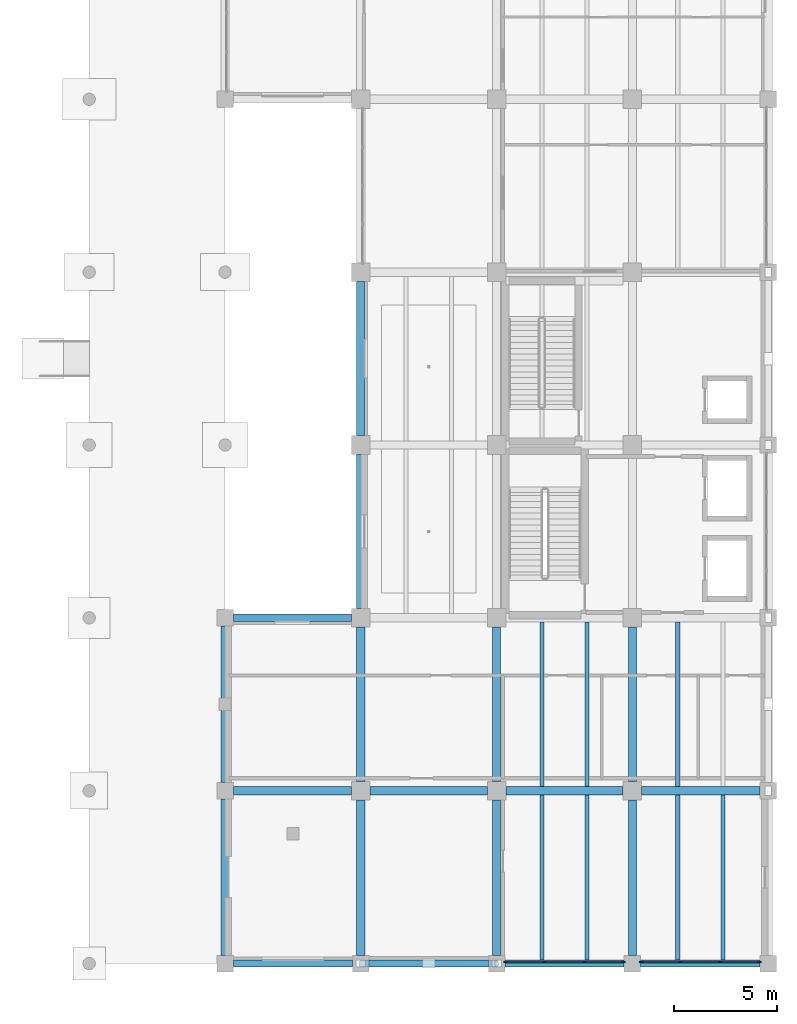
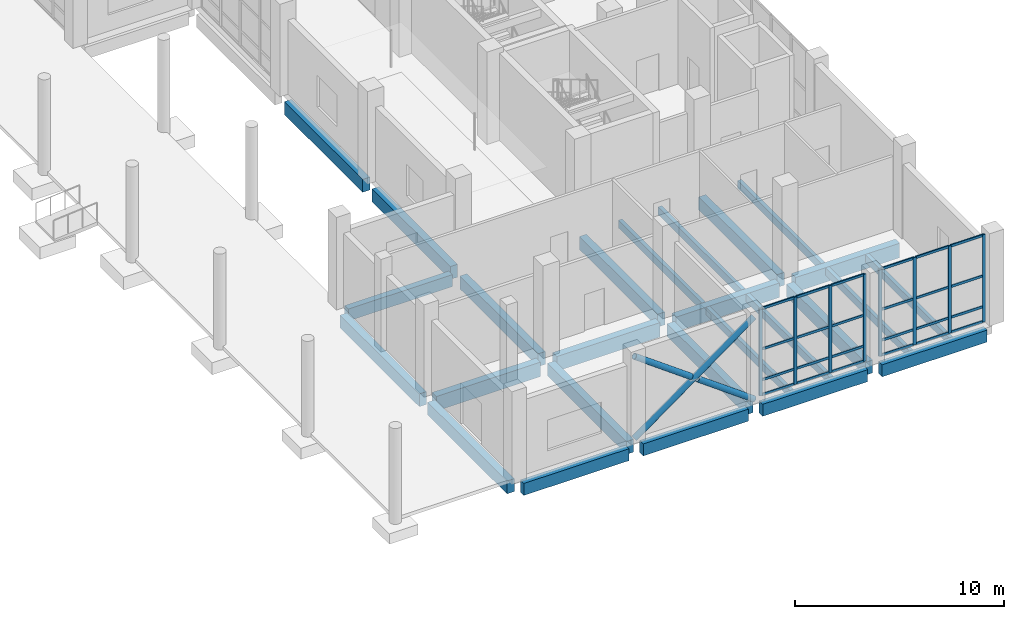
# One storey, part 16 of 64: 35 members, 26 beams, 2 elements without a shape of their own.
"""IFC4 building model written with IfcOpenShell, lengths in metres."""

from ifc_helpers import new_model, si_unit, direction, frame, origin, origin_2d, place, context, subcontext, project, spatial, rectangle, hollow_circle, extrude, material, material_profile, profile_set, type_object, element, aggregate, save


model = new_model("IFC4")

# Units and contexts
model_context = context("Model", 3, precision=1e-05, world=origin(), true_north=direction((0.0, 1.0)))
body_context = subcontext(model_context, "Body", "Model", "MODEL_VIEW")
ifc_project = project(units=[si_unit("LENGTHUNIT", "METRE"), si_unit("AREAUNIT", "SQUARE_METRE"), si_unit("VOLUMEUNIT", "CUBIC_METRE"), si_unit("PLANEANGLEUNIT", "RADIAN"), si_unit("MASSUNIT", "GRAM", prefix="KILO")], contexts=[model_context])

# Site, building, storey
site_placement = place(None, origin())
site = spatial("IfcSite", under=ifc_project, at=site_placement, CompositionType="ELEMENT")
building_placement = place(site_placement, origin())
building = spatial("IfcBuilding", under=site, at=building_placement, Name="Qaldarim Faculty of Natural and Applied Sciences", CompositionType="ELEMENT")
storey_placement = place(building_placement, origin())
storey = spatial("IfcBuildingStorey", under=building, at=storey_placement, Name="L00", CompositionType="ELEMENT", Elevation=0.0)

# Beams
ifc_material_1 = material(Name="Concrete C50/60", Category="concrete")
ifc_material_profile_1 = material_profile(ifc_material_1, rectangle(XDim=0.39990234375, YDim=0.75, at=origin_2d()), Name="RC-B400x750")
ifc_profile_set_1 = profile_set([ifc_material_profile_1], Name="Concrete C50/60")
beam_type_1 = type_object("IfcBeamType", Name="LabGirder-RC400x750", PredefinedType="BEAM", material=ifc_profile_set_1)
beam_1_placement = place(storey_placement, frame((151.800048828125, 0.39990234375, -0.735107421875), z_axis=(0.0, 1.0, 0.0), x_axis=(-1.0, 0.0, 0.0)))
element("IfcBeam", 1, at=beam_1_placement, inside=storey, type_object=beam_type_1, Name="Beam RC-B400x750 B01 X24/Y01-Y02", PredefinedType="BEAM", context=body_context, shape_type="SweptSolid", body=[
    extrude(rectangle(XDim=0.39990234375, YDim=0.75, at=origin_2d()), origin(), (0.0, 0.0, 1.0), 7.60009765625),
])
beam_2_placement = place(storey_placement, frame((151.800048828125, 8.800048828125, -0.735107421875), z_axis=(0.0, 1.0, 0.0), x_axis=(-1.0, 0.0, 0.0)))
element("IfcBeam", 2, at=beam_2_placement, inside=storey, type_object=beam_type_1, Name="Beam RC-B400x750 B01 X24/Y02-Y03", PredefinedType="BEAM", context=body_context, shape_type="SweptSolid", body=[
    extrude(rectangle(XDim=0.39990234375, YDim=0.75, at=origin_2d()), origin(), (0.0, 0.0, 1.0), 7.599853515625),
])
beam_3_placement = place(storey_placement, frame((158.39990234375, 0.39990234375, -0.735107421875), z_axis=(0.0, 1.0, 0.0), x_axis=(-1.0, 0.0, 0.0)))
element("IfcBeam", 3, at=beam_3_placement, inside=storey, type_object=beam_type_1, Name="Beam RC-B400x750 B01 X25/Y01-Y02", PredefinedType="BEAM", context=body_context, shape_type="SweptSolid", body=[
    extrude(rectangle(XDim=0.39990234375, YDim=0.75, at=origin_2d()), origin(), (0.0, 0.0, 1.0), 7.550048828125),
])
for number, where, z_axis, x_axis, name in (
    (4, (158.39990234375, 8.85009765625, -0.735107421875), (0.0, 1.0, 0.0), (-1.0, 0.0, 0.0), "Beam RC-B400x750 B01 X25/Y02-Y03"),
    (5, (158.39990234375, 17.25, -0.735107421875), (0.0, 1.0, 0.0), (-1.0, 0.0, 0.0), "Beam RC-B400x750 B01 X25/Y03-Y04"),
    (6, (158.39990234375, 25.64990234375, -0.735107421875), (0.0, 1.0, 0.0), (-1.0, 0.0, 0.0), "Beam RC-B400x750 B01 X25/Y04-Y05"),
):
    element("IfcBeam", number, at=place(storey_placement, frame(where, z_axis=z_axis, x_axis=x_axis)), inside=storey, type_object=beam_type_1, Name=name, PredefinedType="BEAM", context=body_context, shape_type="SweptSolid", body=[
        extrude(rectangle(XDim=0.39990234375, YDim=0.75, at=origin_2d()), origin(), (0.0, 0.0, 1.0), 7.5),
    ])
beam_4_placement = place(storey_placement, frame((165.0, 0.39990234375, -0.735107421875), z_axis=(0.0, 1.0, 0.0), x_axis=(-1.0, 0.0, 0.0)))
element("IfcBeam", 7, at=beam_4_placement, inside=storey, type_object=beam_type_1, Name="Beam RC-B400x750 B01 X26/Y01-Y02", PredefinedType="BEAM", context=body_context, shape_type="SweptSolid", body=[
    extrude(rectangle(XDim=0.39990234375, YDim=0.75, at=origin_2d()), origin(), (0.0, 0.0, 1.0), 7.550048828125),
])
beam_5_placement = place(storey_placement, frame((165.0, 8.85009765625, -0.735107421875), z_axis=(0.0, 1.0, 0.0), x_axis=(-1.0, 0.0, 0.0)))
element("IfcBeam", 8, at=beam_5_placement, inside=storey, type_object=beam_type_1, Name="Beam RC-B400x750 B01 X26/Y02-Y03", PredefinedType="BEAM", context=body_context, shape_type="SweptSolid", body=[
    extrude(rectangle(XDim=0.39990234375, YDim=0.75, at=origin_2d()), origin(), (0.0, 0.0, 1.0), 7.5),
])
beam_6_placement = place(storey_placement, frame((171.60009765625, 0.39990234375, -0.735107421875), z_axis=(0.0, 1.0, 0.0), x_axis=(-1.0, 0.0, 0.0)))
element("IfcBeam", 9, at=beam_6_placement, inside=storey, type_object=beam_type_1, Name="Beam RC-B400x750 B01 X27/Y01-Y02", PredefinedType="BEAM", context=body_context, shape_type="SweptSolid", body=[
    extrude(rectangle(XDim=0.39990234375, YDim=0.75, at=origin_2d()), origin(), (0.0, 0.0, 1.0), 7.550048828125),
])
beam_7_placement = place(storey_placement, frame((171.60009765625, 8.85009765625, -0.735107421875), z_axis=(0.0, 1.0, 0.0), x_axis=(-1.0, 0.0, 0.0)))
element("IfcBeam", 10, at=beam_7_placement, inside=storey, type_object=beam_type_1, Name="Beam RC-B400x750 B01 X27/Y02-Y03", PredefinedType="BEAM", context=body_context, shape_type="SweptSolid", body=[
    extrude(rectangle(XDim=0.39990234375, YDim=0.75, at=origin_2d()), origin(), (0.0, 0.0, 1.0), 7.5),
])
ifc_material_2 = material(Name="Concrete C40/50", Category="concrete")
ifc_material_profile_2 = material_profile(ifc_material_2, rectangle(XDim=0.199951171875, YDim=0.449951171875, at=origin_2d()), Name="RC-J200x450")
ifc_profile_set_2 = profile_set([ifc_material_profile_2], Name="Concrete C40/50")
beam_type_2 = type_object("IfcBeamType", Name="LabJoist-RC200x450", PredefinedType="JOIST", material=ifc_profile_set_2)
for number, where, z_axis, x_axis, name in (
    (11, (167.199951171875, 0.175048828125, -0.5849609375), (0.0, 1.0, 0.0), (-1.0, 0.0, 0.0), "Laboratory joist B01 bay X26Y01-1"),
    (12, (169.39990234375, 0.175048828125, -0.5849609375), (0.0, 1.0, 0.0), (-1.0, 0.0, 0.0), "Laboratory joist B01 bay X26Y01-2"),
):
    element("IfcBeam", number, at=place(storey_placement, frame(where, z_axis=z_axis, x_axis=x_axis)), inside=storey, type_object=beam_type_2, Name=name, PredefinedType="JOIST", context=body_context, shape_type="SweptSolid", body=[
        extrude(rectangle(XDim=0.199951171875, YDim=0.449951171875, at=origin_2d()), origin(), (0.0, 0.0, 1.0), 8.02490234375),
    ])
for number, where, z_axis, x_axis, name in (
    (13, (167.199951171875, 8.60009765625, -0.5849609375), (0.0, 1.0, 0.0), (-1.0, 0.0, 0.0), "Laboratory joist B01 bay X26Y02-1"),
    (14, (169.39990234375, 8.60009765625, -0.5849609375), (0.0, 1.0, 0.0), (-1.0, 0.0, 0.0), "Laboratory joist B01 bay X26Y02-2"),
):
    element("IfcBeam", number, at=place(storey_placement, frame(where, z_axis=z_axis, x_axis=x_axis)), inside=storey, type_object=beam_type_2, Name=name, PredefinedType="JOIST", context=body_context, shape_type="SweptSolid", body=[
        extrude(rectangle(XDim=0.199951171875, YDim=0.449951171875, at=origin_2d()), origin(), (0.0, 0.0, 1.0), 8.0),
    ])
for number, where, z_axis, x_axis, name in (
    (15, (173.800048828125, 0.175048828125, -0.5849609375), (0.0, 1.0, 0.0), (-1.0, 0.0, 0.0), "Laboratory joist B01 bay X27Y01-1"),
    (16, (176.0, 0.175048828125, -0.5849609375), (0.0, 1.0, 0.0), (-1.0, 0.0, 0.0), "Laboratory joist B01 bay X27Y01-2"),
):
    element("IfcBeam", number, at=place(storey_placement, frame(where, z_axis=z_axis, x_axis=x_axis)), inside=storey, type_object=beam_type_2, Name=name, PredefinedType="JOIST", context=body_context, shape_type="SweptSolid", body=[
        extrude(rectangle(XDim=0.199951171875, YDim=0.449951171875, at=origin_2d()), origin(), (0.0, 0.0, 1.0), 8.02490234375),
    ])
beam_8_placement = place(storey_placement, frame((173.800048828125, 8.60009765625, -0.5849609375), z_axis=(0.0, 1.0, 0.0), x_axis=(-1.0, 0.0, 0.0)))
element("IfcBeam", 17, at=beam_8_placement, inside=storey, type_object=beam_type_2, Name="Laboratory joist B01 bay X27Y02-1", PredefinedType="JOIST", context=body_context, shape_type="SweptSolid", body=[
    extrude(rectangle(XDim=0.199951171875, YDim=0.449951171875, at=origin_2d()), origin(), (0.0, 0.0, 1.0), 8.0),
])

# Members
ifc_material_3 = material(Name="Structural steel S355", Category="steel")
ifc_material_profile_3 = material_profile(ifc_material_3, hollow_circle(Radius=0.161865234375, WallThickness=0.02001953125, at=origin_2d()), Name="CHS 323.9x20.0")
ifc_profile_set_3 = profile_set([ifc_material_profile_3], Name="Structural steel S355")
member_type_1 = type_object("IfcMemberType", Name="LowerWingBrace-CHS323-9x20", PredefinedType="BRACE", material=ifc_profile_set_3)
member_1_placement = place(storey_placement, frame((158.39990234375, 0.0, 0.0), z_axis=(0.808737377947, 0.0, 0.58816991891), x_axis=(0.0, 1.0, 0.0)))
element("IfcMember", 18, at=member_1_placement, inside=storey, type_object=member_type_1, Name="South diagrid L00 primary brace L", PredefinedType="BRACE", context=body_context, shape_type="SweptSolid", body=[
    extrude(hollow_circle(Radius=0.161865234375, WallThickness=0.02001953125, at=origin_2d()), origin(), (0.0, 0.0, 1.0), 8.160888671875),
])
for number, where, z_axis, x_axis, name in (
    (19, (165.0, 0.0, 0.0), (-0.808632098331, 0.0, 0.588314651822), (0.0, -1.0, 0.0), "South diagrid L00 split secondary lower brace R1"),
    (20, (161.52001953125, 0.0, 2.530029296875), (-0.808632098331, 0.0, 0.588314651822), (0.0, -1.0, 0.0), "South diagrid L00 split secondary upper brace R2"),
):
    element("IfcMember", number, at=place(storey_placement, frame(where, z_axis=z_axis, x_axis=x_axis)), inside=storey, type_object=member_type_1, Name=name, PredefinedType="BRACE", context=body_context, shape_type="SweptSolid", body=[
        extrude(hollow_circle(Radius=0.161865234375, WallThickness=0.02001953125, at=origin_2d()), origin(), (0.0, 0.0, 1.0), 3.8583984375),
    ])

# Curtain wall, members
ifc_material_4 = material(Name="Anodised aluminium AW-6063", Category="aluminium")
curtain_wall_type = type_object("IfcCurtainWallType", Name="CurtainWallSystem-M1700", PredefinedType="USERDEFINED", material=ifc_material_4)
curtain_wall_1_placement = place(storey_placement, origin())
curtain_wall_1 = element("IfcCurtainWall", 21, at=curtain_wall_1_placement, inside=storey, type_object=curtain_wall_type, Name="Curtain wall CW-L00-S-X26Y01", ObjectType="UNITISED FACADE", PredefinedType="USERDEFINED")
ifc_material_profile_4 = material_profile(ifc_material_4, rectangle(XDim=0.070068359375, YDim=0.179931640625, at=origin_2d()), Name="ALU-M70x180")
ifc_profile_set_4 = profile_set([ifc_material_profile_4], Name="Anodised aluminium AW-6063")
member_type_2 = type_object("IfcMemberType", Name="Mullion-ALU70x180", PredefinedType="MULLION", material=ifc_profile_set_4)
member_2_placement = place(storey_placement, frame((165.429931640625, 0.080078125, 0.0), z_axis=(0.0, 0.0, 1.0), x_axis=(0.0, 1.0, 0.0)))
member_2 = element("IfcMember", 22, at=member_2_placement, type_object=member_type_2, Name="Mullion 1 of CW-L00-S-X26Y01", PredefinedType="MULLION", context=body_context, shape_type="SweptSolid", body=[
    extrude(rectangle(XDim=0.070068359375, YDim=0.179931640625, at=origin_2d()), origin(), (0.0, 0.0, 1.0), 5.10009765625),
])
member_3_placement = place(storey_placement, frame((167.331787109375, 0.080078125, 0.0), z_axis=(0.0, 0.0, 1.0), x_axis=(0.0, 1.0, 0.0)))
member_3 = element("IfcMember", 23, at=member_3_placement, type_object=member_type_2, Name="Mullion 2 of CW-L00-S-X26Y01", PredefinedType="MULLION", context=body_context, shape_type="SweptSolid", body=[
    extrude(rectangle(XDim=0.070068359375, YDim=0.179931640625, at=origin_2d()), origin(), (0.0, 0.0, 1.0), 5.10009765625),
])
member_4_placement = place(storey_placement, frame((169.268310546875, 0.080078125, 0.0), z_axis=(0.0, 0.0, 1.0), x_axis=(0.0, 1.0, 0.0)))
member_4 = element("IfcMember", 24, at=member_4_placement, type_object=member_type_2, Name="Mullion 3 of CW-L00-S-X26Y01", PredefinedType="MULLION", context=body_context, shape_type="SweptSolid", body=[
    extrude(rectangle(XDim=0.070068359375, YDim=0.179931640625, at=origin_2d()), origin(), (0.0, 0.0, 1.0), 5.10009765625),
])
member_5_placement = place(storey_placement, frame((171.169921875, 0.080078125, 0.0), z_axis=(0.0, 0.0, 1.0), x_axis=(0.0, 1.0, 0.0)))
member_5 = element("IfcMember", 25, at=member_5_placement, type_object=member_type_2, Name="Mullion 4 of CW-L00-S-X26Y01", PredefinedType="MULLION", context=body_context, shape_type="SweptSolid", body=[
    extrude(rectangle(XDim=0.070068359375, YDim=0.179931640625, at=origin_2d()), origin(), (0.0, 0.0, 1.0), 5.10009765625),
])

curtain_wall_2_placement = place(storey_placement, origin())
curtain_wall_2 = element("IfcCurtainWall", 26, at=curtain_wall_2_placement, inside=storey, type_object=curtain_wall_type, Name="Curtain wall CW-L00-S-X27Y01", ObjectType="UNITISED FACADE", PredefinedType="USERDEFINED")
member_6_placement = place(storey_placement, frame((172.030029296875, 0.080078125, 0.0), z_axis=(0.0, 0.0, 1.0), x_axis=(0.0, 1.0, 0.0)))
member_6 = element("IfcMember", 27, at=member_6_placement, type_object=member_type_2, Name="Mullion 1 of CW-L00-S-X27Y01", PredefinedType="MULLION", context=body_context, shape_type="SweptSolid", body=[
    extrude(rectangle(XDim=0.070068359375, YDim=0.179931640625, at=origin_2d()), origin(), (0.0, 0.0, 1.0), 5.10009765625),
])
member_7_placement = place(storey_placement, frame((173.931640625, 0.080078125, 0.0), z_axis=(0.0, 0.0, 1.0), x_axis=(0.0, 1.0, 0.0)))
member_7 = element("IfcMember", 28, at=member_7_placement, type_object=member_type_2, Name="Mullion 2 of CW-L00-S-X27Y01", PredefinedType="MULLION", context=body_context, shape_type="SweptSolid", body=[
    extrude(rectangle(XDim=0.070068359375, YDim=0.179931640625, at=origin_2d()), origin(), (0.0, 0.0, 1.0), 5.10009765625),
])
member_8_placement = place(storey_placement, frame((175.868408203125, 0.080078125, 0.0), z_axis=(0.0, 0.0, 1.0), x_axis=(0.0, 1.0, 0.0)))
member_8 = element("IfcMember", 29, at=member_8_placement, type_object=member_type_2, Name="Mullion 3 of CW-L00-S-X27Y01", PredefinedType="MULLION", context=body_context, shape_type="SweptSolid", body=[
    extrude(rectangle(XDim=0.070068359375, YDim=0.179931640625, at=origin_2d()), origin(), (0.0, 0.0, 1.0), 5.10009765625),
])
member_9_placement = place(storey_placement, frame((177.77001953125, 0.080078125, 0.0), z_axis=(0.0, 0.0, 1.0), x_axis=(0.0, 1.0, 0.0)))
member_9 = element("IfcMember", 30, at=member_9_placement, type_object=member_type_2, Name="Mullion 4 of CW-L00-S-X27Y01", PredefinedType="MULLION", context=body_context, shape_type="SweptSolid", body=[
    extrude(rectangle(XDim=0.070068359375, YDim=0.179931640625, at=origin_2d()), origin(), (0.0, 0.0, 1.0), 5.10009765625),
])

# Beams
ifc_material_profile_5 = material_profile(ifc_material_1, rectangle(XDim=0.39990234375, YDim=0.85009765625, at=origin_2d()), Name="RC-B400x850")
ifc_profile_set_5 = profile_set([ifc_material_profile_5], Name="Concrete C50/60")
beam_type_3 = type_object("IfcBeamType", Name="PodiumGirder-RC400x850", PredefinedType="BEAM", material=ifc_profile_set_5)
beam_9_placement = place(storey_placement, frame((152.199951171875, 8.39990234375, -0.784912109375), z_axis=(1.0, 0.0, 0.0), x_axis=(0.0, 1.0, 0.0)))
element("IfcBeam", 31, at=beam_9_placement, inside=storey, type_object=beam_type_3, Name="Beam RC-B400x850 B01 X24-X25/Y02", PredefinedType="BEAM", context=body_context, shape_type="SweptSolid", body=[
    extrude(rectangle(XDim=0.39990234375, YDim=0.85009765625, at=origin_2d()), origin(), (0.0, 0.0, 1.0), 5.75),
])
for number, where, z_axis, x_axis, name in (
    (32, (158.85009765625, 8.39990234375, -0.784912109375), (1.0, 0.0, 0.0), (0.0, 1.0, 0.0), "Beam RC-B400x850 B01 X25-X26/Y02"),
    (33, (165.449951171875, 8.39990234375, -0.784912109375), (1.0, 0.0, 0.0), (0.0, 1.0, 0.0), "Beam RC-B400x850 B01 X26-X27/Y02"),
):
    element("IfcBeam", number, at=place(storey_placement, frame(where, z_axis=z_axis, x_axis=x_axis)), inside=storey, type_object=beam_type_3, Name=name, PredefinedType="BEAM", context=body_context, shape_type="SweptSolid", body=[
        extrude(rectangle(XDim=0.39990234375, YDim=0.85009765625, at=origin_2d()), origin(), (0.0, 0.0, 1.0), 5.699951171875),
    ])
beam_10_placement = place(storey_placement, frame((172.050048828125, 8.39990234375, -0.784912109375), z_axis=(1.0, 0.0, 0.0), x_axis=(0.0, 1.0, 0.0)))
element("IfcBeam", 34, at=beam_10_placement, inside=storey, type_object=beam_type_3, Name="Beam RC-B400x850 B01 X27-X28/Y02", PredefinedType="BEAM", context=body_context, shape_type="SweptSolid", body=[
    extrude(rectangle(XDim=0.39990234375, YDim=0.85009765625, at=origin_2d()), origin(), (0.0, 0.0, 1.0), 5.75),
])
ifc_material_profile_6 = material_profile(ifc_material_2, rectangle(XDim=0.35009765625, YDim=0.699951171875, at=origin_2d()), Name="RC-B350x700")
ifc_profile_set_6 = profile_set([ifc_material_profile_6], Name="Concrete C40/50")
beam_type_4 = type_object("IfcBeamType", Name="PrimaryGirder-RC350x700", PredefinedType="BEAM", material=ifc_profile_set_6)
for number, where, z_axis, x_axis, name in (
    (35, (152.199951171875, 0.0, -0.7099609375), (1.0, 0.0, 0.0), (0.0, 1.0, 0.0), "Beam RC-B350x700 B01 X24-X25/Y01"),
    (36, (158.800048828125, 0.0, -0.7099609375), (1.0, 0.0, 0.0), (0.0, 1.0, 0.0), "Beam RC-B350x700 B01 X25-X26/Y01"),
    (37, (165.39990234375, 0.0, -0.7099609375), (1.0, 0.0, 0.0), (0.0, 1.0, 0.0), "Beam RC-B350x700 B01 X26-X27/Y01"),
    (38, (172.0, 0.0, -0.7099609375), (1.0, 0.0, 0.0), (0.0, 1.0, 0.0), "Beam RC-B350x700 B01 X27-X28/Y01"),
):
    element("IfcBeam", number, at=place(storey_placement, frame(where, z_axis=z_axis, x_axis=x_axis)), inside=storey, type_object=beam_type_4, Name=name, PredefinedType="BEAM", context=body_context, shape_type="SweptSolid", body=[
        extrude(rectangle(XDim=0.35009765625, YDim=0.699951171875, at=origin_2d()), origin(), (0.0, 0.0, 1.0), 5.800048828125),
    ])
beam_11_placement = place(storey_placement, frame((152.199951171875, 16.800048828125, -0.7099609375), z_axis=(1.0, 0.0, 0.0), x_axis=(0.0, 1.0, 0.0)))
element("IfcBeam", 39, at=beam_11_placement, inside=storey, type_object=beam_type_4, Name="Beam RC-B350x700 B01 X24-X25/Y03", PredefinedType="BEAM", context=body_context, shape_type="SweptSolid", body=[
    extrude(rectangle(XDim=0.35009765625, YDim=0.699951171875, at=origin_2d()), origin(), (0.0, 0.0, 1.0), 5.75),
])

# Member
ifc_material_profile_7 = material_profile(ifc_material_4, rectangle(XDim=0.070068359375, YDim=0.139892578125, at=origin_2d()), Name="ALU-T70x140")
ifc_profile_set_7 = profile_set([ifc_material_profile_7], Name="Anodised aluminium AW-6063")
member_type_3 = type_object("IfcMemberType", Name="Transom-ALU70x140", PredefinedType="USERDEFINED", material=ifc_profile_set_7)
member_10_placement = place(storey_placement, frame((165.465087890625, 0.080078125, 0.034912109375), z_axis=(1.0, 0.0, 0.0), x_axis=(0.0, 1.0, 0.0)))
member_10 = element("IfcMember", 40, at=member_10_placement, type_object=member_type_3, Name="Transom 1-1 of CW-L00-S-X26Y01", ObjectType="TRANSOM", PredefinedType="USERDEFINED", context=body_context, shape_type="SweptSolid", body=[
    extrude(rectangle(XDim=0.070068359375, YDim=0.139892578125, at=origin_2d()), origin(), (0.0, 0.0, 1.0), 1.83154296875),
])

member_11_placement = place(storey_placement, frame((165.465087890625, 0.080078125, 0.89990234375), z_axis=(1.0, 0.0, 0.0), x_axis=(0.0, 1.0, 0.0)))
member_11 = element("IfcMember", 41, at=member_11_placement, type_object=member_type_3, Name="Transom 1-2 of CW-L00-S-X26Y01", ObjectType="TRANSOM", PredefinedType="USERDEFINED", context=body_context, shape_type="SweptSolid", body=[
    extrude(rectangle(XDim=0.070068359375, YDim=0.139892578125, at=origin_2d()), origin(), (0.0, 0.0, 1.0), 1.83154296875),
])

member_12_placement = place(storey_placement, frame((165.465087890625, 0.080078125, 2.699951171875), z_axis=(1.0, 0.0, 0.0), x_axis=(0.0, 1.0, 0.0)))
member_12 = element("IfcMember", 42, at=member_12_placement, type_object=member_type_3, Name="Transom 1-3 of CW-L00-S-X26Y01", ObjectType="TRANSOM", PredefinedType="USERDEFINED", context=body_context, shape_type="SweptSolid", body=[
    extrude(rectangle(XDim=0.070068359375, YDim=0.139892578125, at=origin_2d()), origin(), (0.0, 0.0, 1.0), 1.83154296875),
])

member_13_placement = place(storey_placement, frame((165.465087890625, 0.080078125, 5.06494140625), z_axis=(1.0, 0.0, 0.0), x_axis=(0.0, 1.0, 0.0)))
member_13 = element("IfcMember", 43, at=member_13_placement, type_object=member_type_3, Name="Transom 1-4 of CW-L00-S-X26Y01", ObjectType="TRANSOM", PredefinedType="USERDEFINED", context=body_context, shape_type="SweptSolid", body=[
    extrude(rectangle(XDim=0.070068359375, YDim=0.139892578125, at=origin_2d()), origin(), (0.0, 0.0, 1.0), 1.83154296875),
])

member_14_placement = place(storey_placement, frame((167.36669921875, 0.080078125, 0.034912109375), z_axis=(1.0, 0.0, 0.0), x_axis=(0.0, 1.0, 0.0)))
member_14 = element("IfcMember", 44, at=member_14_placement, type_object=member_type_3, Name="Transom 2-1 of CW-L00-S-X26Y01", ObjectType="TRANSOM", PredefinedType="USERDEFINED", context=body_context, shape_type="SweptSolid", body=[
    extrude(rectangle(XDim=0.070068359375, YDim=0.139892578125, at=origin_2d()), origin(), (0.0, 0.0, 1.0), 1.86669921875),
])

member_15_placement = place(storey_placement, frame((167.36669921875, 0.080078125, 0.89990234375), z_axis=(1.0, 0.0, 0.0), x_axis=(0.0, 1.0, 0.0)))
member_15 = element("IfcMember", 45, at=member_15_placement, type_object=member_type_3, Name="Transom 2-2 of CW-L00-S-X26Y01", ObjectType="TRANSOM", PredefinedType="USERDEFINED", context=body_context, shape_type="SweptSolid", body=[
    extrude(rectangle(XDim=0.070068359375, YDim=0.139892578125, at=origin_2d()), origin(), (0.0, 0.0, 1.0), 1.86669921875),
])

member_16_placement = place(storey_placement, frame((167.36669921875, 0.080078125, 2.699951171875), z_axis=(1.0, 0.0, 0.0), x_axis=(0.0, 1.0, 0.0)))
member_16 = element("IfcMember", 46, at=member_16_placement, type_object=member_type_3, Name="Transom 2-3 of CW-L00-S-X26Y01", ObjectType="TRANSOM", PredefinedType="USERDEFINED", context=body_context, shape_type="SweptSolid", body=[
    extrude(rectangle(XDim=0.070068359375, YDim=0.139892578125, at=origin_2d()), origin(), (0.0, 0.0, 1.0), 1.86669921875),
])

member_17_placement = place(storey_placement, frame((167.36669921875, 0.080078125, 5.06494140625), z_axis=(1.0, 0.0, 0.0), x_axis=(0.0, 1.0, 0.0)))
member_17 = element("IfcMember", 47, at=member_17_placement, type_object=member_type_3, Name="Transom 2-4 of CW-L00-S-X26Y01", ObjectType="TRANSOM", PredefinedType="USERDEFINED", context=body_context, shape_type="SweptSolid", body=[
    extrude(rectangle(XDim=0.070068359375, YDim=0.139892578125, at=origin_2d()), origin(), (0.0, 0.0, 1.0), 1.86669921875),
])

member_18_placement = place(storey_placement, frame((169.30322265625, 0.080078125, 0.034912109375), z_axis=(1.0, 0.0, 0.0), x_axis=(0.0, 1.0, 0.0)))
member_18 = element("IfcMember", 48, at=member_18_placement, type_object=member_type_3, Name="Transom 3-1 of CW-L00-S-X26Y01", ObjectType="TRANSOM", PredefinedType="USERDEFINED", context=body_context, shape_type="SweptSolid", body=[
    extrude(rectangle(XDim=0.070068359375, YDim=0.139892578125, at=origin_2d()), origin(), (0.0, 0.0, 1.0), 1.831787109375),
])

member_19_placement = place(storey_placement, frame((169.30322265625, 0.080078125, 0.89990234375), z_axis=(1.0, 0.0, 0.0), x_axis=(0.0, 1.0, 0.0)))
member_19 = element("IfcMember", 49, at=member_19_placement, type_object=member_type_3, Name="Transom 3-2 of CW-L00-S-X26Y01", ObjectType="TRANSOM", PredefinedType="USERDEFINED", context=body_context, shape_type="SweptSolid", body=[
    extrude(rectangle(XDim=0.070068359375, YDim=0.139892578125, at=origin_2d()), origin(), (0.0, 0.0, 1.0), 1.831787109375),
])

member_20_placement = place(storey_placement, frame((169.30322265625, 0.080078125, 2.699951171875), z_axis=(1.0, 0.0, 0.0), x_axis=(0.0, 1.0, 0.0)))
member_20 = element("IfcMember", 50, at=member_20_placement, type_object=member_type_3, Name="Transom 3-3 of CW-L00-S-X26Y01", ObjectType="TRANSOM", PredefinedType="USERDEFINED", context=body_context, shape_type="SweptSolid", body=[
    extrude(rectangle(XDim=0.070068359375, YDim=0.139892578125, at=origin_2d()), origin(), (0.0, 0.0, 1.0), 1.831787109375),
])

member_21_placement = place(storey_placement, frame((169.30322265625, 0.080078125, 5.06494140625), z_axis=(1.0, 0.0, 0.0), x_axis=(0.0, 1.0, 0.0)))
member_21 = element("IfcMember", 51, at=member_21_placement, type_object=member_type_3, Name="Transom 3-4 of CW-L00-S-X26Y01", ObjectType="TRANSOM", PredefinedType="USERDEFINED", context=body_context, shape_type="SweptSolid", body=[
    extrude(rectangle(XDim=0.070068359375, YDim=0.139892578125, at=origin_2d()), origin(), (0.0, 0.0, 1.0), 1.831787109375),
])

aggregate(curtain_wall_1, [member_2, member_3, member_4, member_5, member_10, member_11, member_12, member_13, member_14, member_15, member_16, member_17, member_18, member_19, member_20, member_21])

member_22_placement = place(storey_placement, frame((172.06494140625, 0.080078125, 0.034912109375), z_axis=(1.0, 0.0, 0.0), x_axis=(0.0, 1.0, 0.0)))
member_22 = element("IfcMember", 52, at=member_22_placement, type_object=member_type_3, Name="Transom 1-1 of CW-L00-S-X27Y01", ObjectType="TRANSOM", PredefinedType="USERDEFINED", context=body_context, shape_type="SweptSolid", body=[
    extrude(rectangle(XDim=0.070068359375, YDim=0.139892578125, at=origin_2d()), origin(), (0.0, 0.0, 1.0), 1.831787109375),
])

member_23_placement = place(storey_placement, frame((172.06494140625, 0.080078125, 0.89990234375), z_axis=(1.0, 0.0, 0.0), x_axis=(0.0, 1.0, 0.0)))
member_23 = element("IfcMember", 53, at=member_23_placement, type_object=member_type_3, Name="Transom 1-2 of CW-L00-S-X27Y01", ObjectType="TRANSOM", PredefinedType="USERDEFINED", context=body_context, shape_type="SweptSolid", body=[
    extrude(rectangle(XDim=0.070068359375, YDim=0.139892578125, at=origin_2d()), origin(), (0.0, 0.0, 1.0), 1.831787109375),
])

member_24_placement = place(storey_placement, frame((172.06494140625, 0.080078125, 2.699951171875), z_axis=(1.0, 0.0, 0.0), x_axis=(0.0, 1.0, 0.0)))
member_24 = element("IfcMember", 54, at=member_24_placement, type_object=member_type_3, Name="Transom 1-3 of CW-L00-S-X27Y01", ObjectType="TRANSOM", PredefinedType="USERDEFINED", context=body_context, shape_type="SweptSolid", body=[
    extrude(rectangle(XDim=0.070068359375, YDim=0.139892578125, at=origin_2d()), origin(), (0.0, 0.0, 1.0), 1.831787109375),
])

member_25_placement = place(storey_placement, frame((172.06494140625, 0.080078125, 5.06494140625), z_axis=(1.0, 0.0, 0.0), x_axis=(0.0, 1.0, 0.0)))
member_25 = element("IfcMember", 55, at=member_25_placement, type_object=member_type_3, Name="Transom 1-4 of CW-L00-S-X27Y01", ObjectType="TRANSOM", PredefinedType="USERDEFINED", context=body_context, shape_type="SweptSolid", body=[
    extrude(rectangle(XDim=0.070068359375, YDim=0.139892578125, at=origin_2d()), origin(), (0.0, 0.0, 1.0), 1.831787109375),
])

member_26_placement = place(storey_placement, frame((173.966796875, 0.080078125, 0.034912109375), z_axis=(1.0, 0.0, 0.0), x_axis=(0.0, 1.0, 0.0)))
member_26 = element("IfcMember", 56, at=member_26_placement, type_object=member_type_3, Name="Transom 2-1 of CW-L00-S-X27Y01", ObjectType="TRANSOM", PredefinedType="USERDEFINED", context=body_context, shape_type="SweptSolid", body=[
    extrude(rectangle(XDim=0.070068359375, YDim=0.139892578125, at=origin_2d()), origin(), (0.0, 0.0, 1.0), 1.866455078125),
])

member_27_placement = place(storey_placement, frame((173.966796875, 0.080078125, 0.89990234375), z_axis=(1.0, 0.0, 0.0), x_axis=(0.0, 1.0, 0.0)))
member_27 = element("IfcMember", 57, at=member_27_placement, type_object=member_type_3, Name="Transom 2-2 of CW-L00-S-X27Y01", ObjectType="TRANSOM", PredefinedType="USERDEFINED", context=body_context, shape_type="SweptSolid", body=[
    extrude(rectangle(XDim=0.070068359375, YDim=0.139892578125, at=origin_2d()), origin(), (0.0, 0.0, 1.0), 1.866455078125),
])

member_28_placement = place(storey_placement, frame((173.966796875, 0.080078125, 2.699951171875), z_axis=(1.0, 0.0, 0.0), x_axis=(0.0, 1.0, 0.0)))
member_28 = element("IfcMember", 58, at=member_28_placement, type_object=member_type_3, Name="Transom 2-3 of CW-L00-S-X27Y01", ObjectType="TRANSOM", PredefinedType="USERDEFINED", context=body_context, shape_type="SweptSolid", body=[
    extrude(rectangle(XDim=0.070068359375, YDim=0.139892578125, at=origin_2d()), origin(), (0.0, 0.0, 1.0), 1.866455078125),
])

member_29_placement = place(storey_placement, frame((173.966796875, 0.080078125, 5.06494140625), z_axis=(1.0, 0.0, 0.0), x_axis=(0.0, 1.0, 0.0)))
member_29 = element("IfcMember", 59, at=member_29_placement, type_object=member_type_3, Name="Transom 2-4 of CW-L00-S-X27Y01", ObjectType="TRANSOM", PredefinedType="USERDEFINED", context=body_context, shape_type="SweptSolid", body=[
    extrude(rectangle(XDim=0.070068359375, YDim=0.139892578125, at=origin_2d()), origin(), (0.0, 0.0, 1.0), 1.866455078125),
])

member_30_placement = place(storey_placement, frame((175.9033203125, 0.080078125, 0.034912109375), z_axis=(1.0, 0.0, 0.0), x_axis=(0.0, 1.0, 0.0)))
member_30 = element("IfcMember", 60, at=member_30_placement, type_object=member_type_3, Name="Transom 3-1 of CW-L00-S-X27Y01", ObjectType="TRANSOM", PredefinedType="USERDEFINED", context=body_context, shape_type="SweptSolid", body=[
    extrude(rectangle(XDim=0.070068359375, YDim=0.139892578125, at=origin_2d()), origin(), (0.0, 0.0, 1.0), 1.831787109375),
])

member_31_placement = place(storey_placement, frame((175.9033203125, 0.080078125, 0.89990234375), z_axis=(1.0, 0.0, 0.0), x_axis=(0.0, 1.0, 0.0)))
member_31 = element("IfcMember", 61, at=member_31_placement, type_object=member_type_3, Name="Transom 3-2 of CW-L00-S-X27Y01", ObjectType="TRANSOM", PredefinedType="USERDEFINED", context=body_context, shape_type="SweptSolid", body=[
    extrude(rectangle(XDim=0.070068359375, YDim=0.139892578125, at=origin_2d()), origin(), (0.0, 0.0, 1.0), 1.831787109375),
])

member_32_placement = place(storey_placement, frame((175.9033203125, 0.080078125, 2.699951171875), z_axis=(1.0, 0.0, 0.0), x_axis=(0.0, 1.0, 0.0)))
member_32 = element("IfcMember", 62, at=member_32_placement, type_object=member_type_3, Name="Transom 3-3 of CW-L00-S-X27Y01", ObjectType="TRANSOM", PredefinedType="USERDEFINED", context=body_context, shape_type="SweptSolid", body=[
    extrude(rectangle(XDim=0.070068359375, YDim=0.139892578125, at=origin_2d()), origin(), (0.0, 0.0, 1.0), 1.831787109375),
])

member_33_placement = place(storey_placement, frame((175.9033203125, 0.080078125, 5.06494140625), z_axis=(1.0, 0.0, 0.0), x_axis=(0.0, 1.0, 0.0)))
member_33 = element("IfcMember", 63, at=member_33_placement, type_object=member_type_3, Name="Transom 3-4 of CW-L00-S-X27Y01", ObjectType="TRANSOM", PredefinedType="USERDEFINED", context=body_context, shape_type="SweptSolid", body=[
    extrude(rectangle(XDim=0.070068359375, YDim=0.139892578125, at=origin_2d()), origin(), (0.0, 0.0, 1.0), 1.831787109375),
])

aggregate(curtain_wall_2, [member_6, member_7, member_8, member_9, member_22, member_23, member_24, member_25, member_26, member_27, member_28, member_29, member_30, member_31, member_32, member_33])

save(model, "model.ifc")
